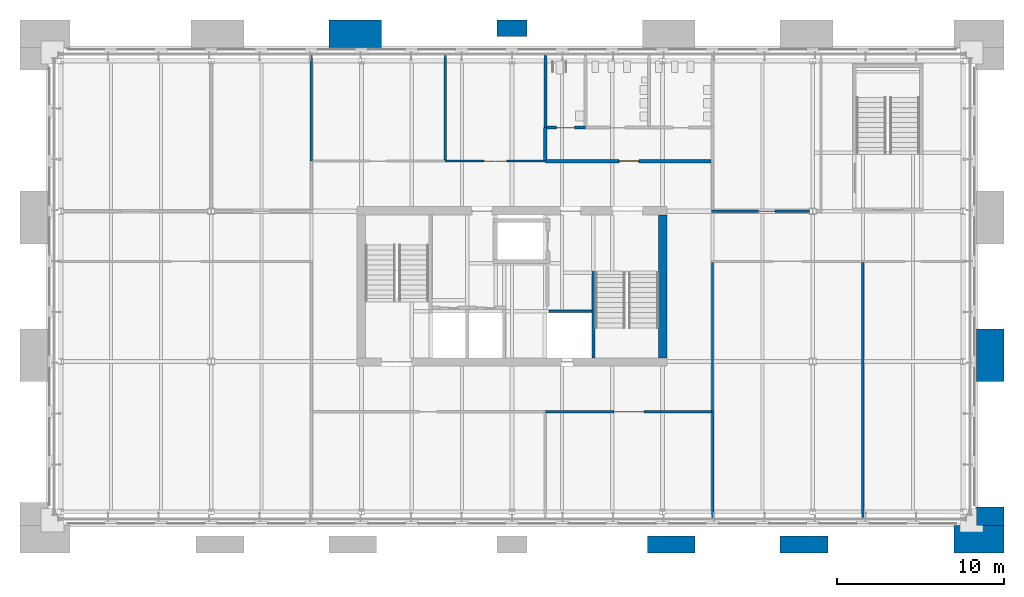
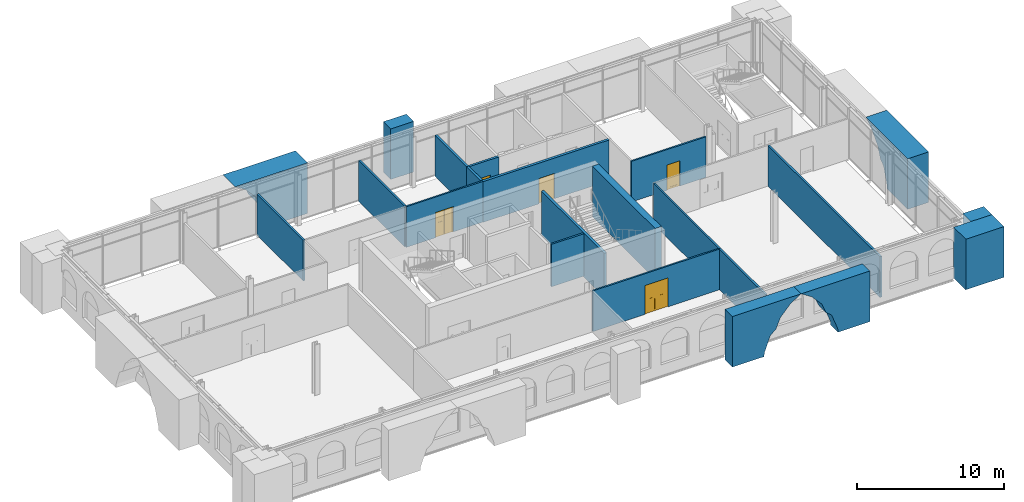
# One storey, part 13 of 22: 22 walls, 5 doors, 5 openings.
"""IFC4 building model written with IfcOpenShell, lengths in metres."""

from ifc_helpers import new_model, si_unit, direction, frame, frame_2d, origin, place, context, subcontext, project, spatial, polyline, rectangle, outline, extrude, material, layer, layer_set, type_object, element, fill, save


model = new_model("IFC4")

# Units and contexts
model_context = context("Model", 3, precision=1e-05, world=origin(), true_north=direction((0.0, 1.0)))
body_context = subcontext(model_context, "Body", "Model", "MODEL_VIEW")
ifc_project = project(units=[si_unit("LENGTHUNIT", "METRE"), si_unit("AREAUNIT", "SQUARE_METRE"), si_unit("VOLUMEUNIT", "CUBIC_METRE"), si_unit("PLANEANGLEUNIT", "RADIAN"), si_unit("MASSUNIT", "GRAM", prefix="KILO")], contexts=[model_context])

# Site, building, storey
site_placement = place(None, origin())
site = spatial("IfcSite", under=ifc_project, at=site_placement, CompositionType="ELEMENT")
building_placement = place(site_placement, origin())
building = spatial("IfcBuilding", under=site, at=building_placement, Name="Baradari Gate Terminus", CompositionType="ELEMENT")
storey_placement = place(building_placement, frame((0.0, 0.0, 28.5)))
storey = spatial("IfcBuildingStorey", under=building, at=storey_placement, Name="L06", CompositionType="ELEMENT", Elevation=28.5)

# Wall, opening, door
ifc_material_1 = material(Name="Gypsum board")
ifc_layer_1 = layer(ifc_material_1, 0.125)
ifc_layer_set_1 = layer_set([ifc_layer_1], Name="Gypsum board")
wall_type_1 = type_object("IfcWallType", Name="Corridor partition PT-5 125 EI 30", PredefinedType="PARTITIONING", material=ifc_layer_set_1)
wall_1_placement = place(storey_placement, frame((32.0, 138.0, 0.0), z_axis=(0.0, 0.0, 1.0), x_axis=(1.0, 0.0, 0.0)))
wall_1 = element("IfcWall", 1, at=wall_1_placement, inside=storey, type_object=wall_type_1, Name="PT-5 partition Corridor / Prayer Room", PredefinedType="PARTITIONING", context=body_context, shape_type="SweptSolid", body=[
    extrude(rectangle(XDim=6.0, YDim=0.125, at=frame_2d((3.0, 0.0))), origin(), (0.0, 0.0, 1.0), 3.382080078125),
])
opening_1_placement = place(wall_1_placement, frame((2.300048828125, 0.0, 0.0)))
opening_1 = element("IfcOpeningElement", 2, at=opening_1_placement, cuts=wall_1, Name="Opening D06-021", PredefinedType="OPENING", context=body_context, shape_type="SweptSolid", body=[
    extrude(rectangle(XDim=1.39990234375, YDim=2.10009765625, at=frame_2d((0.699951171875, 1.050048828125))), frame((0.0, 0.072509765625, 0.0), z_axis=(0.0, -1.0, 0.0), x_axis=(1.0, 0.0, 0.0)), (0.0, 0.0, 1.0), 0.14501953125),
])
ifc_material_2 = material(Name="Steel S275", Category="steel")
door_type_1 = type_object("IfcDoorType", Name="Fire door FI-1400-FD30S 1400x2100 FD30S", OperationType="DOUBLE_DOOR_SINGLE_SWING", PredefinedType="DOOR", material=ifc_material_2)
door_1_placement = place(opening_1_placement, origin())
door_1 = element("IfcDoor", 3, at=door_1_placement, inside=storey, type_object=door_type_1, Name="Door Prayer Room", OperationType="DOUBLE_DOOR_SINGLE_SWING", OverallHeight=2.1, OverallWidth=1.4, PredefinedType="DOOR", context=body_context, shape_type="SweptSolid", body=[
    extrude(outline(polyline([(0.0, 0.0), (0.070068359375, 0.0), (0.070068359375, 2.030029296875), (1.329833984375, 2.030029296875), (1.329833984375, 0.0), (1.39990234375, 0.0), (1.39990234375, 2.10009765625), (0.0, 2.10009765625), (0.0, 0.0)])), frame((0.0, 0.02490234375, 0.0), z_axis=(0.0, -1.0, 0.0), x_axis=(1.0, 0.0, 0.0)), (0.0, 0.0, 1.0), 0.050048828125),
    extrude(outline(polyline([(0.073974609375, 0.010009765625), (0.69677734375, 0.010009765625), (0.69677734375, 2.026123046875), (0.073974609375, 2.026123046875), (0.073974609375, 0.010009765625)]), holes=[polyline([(0.194091796875, 0.159912109375), (0.576904296875, 0.159912109375), (0.576904296875, 1.010009765625), (0.194091796875, 1.010009765625), (0.194091796875, 0.159912109375)]), polyline([(0.2353515625, 1.159912109375), (0.535400390625, 1.159912109375), (0.535400390625, 1.760009765625), (0.2353515625, 1.760009765625), (0.2353515625, 1.159912109375)])]), frame((0.0, 0.017333984375, 0.0), z_axis=(0.0, -1.0, 0.0), x_axis=(1.0, 0.0, 0.0)), (0.0, 0.0, 1.0), 0.034912109375),
    extrude(rectangle(XDim=0.3828125, YDim=0.85009765625, at=frame_2d((0.385498046875, 0.5849609375))), frame((0.0, 0.008544921875, 0.0), z_axis=(0.0, -1.0, 0.0), x_axis=(1.0, 0.0, 0.0)), (0.0, 0.0, 1.0), 0.017333984375),
    extrude(rectangle(XDim=0.300048828125, YDim=0.60009765625, at=frame_2d((0.38525390625, 1.4599609375))), frame((0.0, 0.005859375, 0.0), z_axis=(0.0, -1.0, 0.0), x_axis=(1.0, 0.0, 0.0)), (0.0, 0.0, 1.0), 0.011962890625),
    extrude(outline(polyline([(0.703125, 0.010009765625), (1.325927734375, 0.010009765625), (1.325927734375, 2.026123046875), (0.703125, 2.026123046875), (0.703125, 0.010009765625)]), holes=[polyline([(0.822998046875, 0.159912109375), (1.205810546875, 0.159912109375), (1.205810546875, 1.010009765625), (0.822998046875, 1.010009765625), (0.822998046875, 0.159912109375)]), polyline([(0.864501953125, 1.159912109375), (1.16455078125, 1.159912109375), (1.16455078125, 1.760009765625), (0.864501953125, 1.760009765625), (0.864501953125, 1.159912109375)])]), frame((0.0, 0.017333984375, 0.0), z_axis=(0.0, -1.0, 0.0), x_axis=(1.0, 0.0, 0.0)), (0.0, 0.0, 1.0), 0.034912109375),
    extrude(rectangle(XDim=0.3828125, YDim=0.85009765625, at=frame_2d((1.014404296875, 0.5849609375))), frame((0.0, 0.008544921875, 0.0), z_axis=(0.0, -1.0, 0.0), x_axis=(1.0, 0.0, 0.0)), (0.0, 0.0, 1.0), 0.017333984375),
    extrude(rectangle(XDim=0.300048828125, YDim=0.60009765625, at=frame_2d((1.0146484375, 1.4599609375))), frame((0.0, 0.005859375, 0.0), z_axis=(0.0, -1.0, 0.0), x_axis=(1.0, 0.0, 0.0)), (0.0, 0.0, 1.0), 0.011962890625),
])
fill(opening_1, door_1)

wall_2_placement = place(storey_placement, frame((47.925048828125, 123.0, 0.0), z_axis=(0.0, 0.0, 1.0), x_axis=(-1.0, 0.0, 0.0)))
wall_2 = element("IfcWall", 4, at=wall_2_placement, inside=storey, type_object=wall_type_1, Name="PT-5 partition Corridor / Training Classroom 2", PredefinedType="PARTITIONING", context=body_context, shape_type="SweptSolid", body=[
    extrude(rectangle(XDim=9.925048828125, YDim=0.125, at=frame_2d((4.96240234375, 0.0))), origin(), (0.0, 0.0, 1.0), 3.382080078125),
])
opening_2_placement = place(wall_2_placement, frame((4.02490234375, 0.0, 0.0)))
opening_2 = element("IfcOpeningElement", 5, at=opening_2_placement, cuts=wall_2, Name="Opening D06-023", PredefinedType="OPENING", context=body_context, shape_type="SweptSolid", body=[
    extrude(rectangle(XDim=1.800048828125, YDim=2.39990234375, at=frame_2d((0.89990234375, 1.199951171875))), frame((0.0, 0.072509765625, 0.0), z_axis=(0.0, -1.0, 0.0), x_axis=(1.0, 0.0, 0.0)), (0.0, 0.0, 1.0), 0.14501953125),
])
ifc_material_3 = material(Name="Steel S275", Category="steel")
door_type_2 = type_object("IfcDoorType", Name="Fire door FI-1800x2400-FD30S 1800x2400 FD30S", OperationType="DOUBLE_DOOR_SINGLE_SWING", PredefinedType="DOOR", material=ifc_material_3)
door_2_placement = place(opening_2_placement, origin())
door_2 = element("IfcDoor", 6, at=door_2_placement, inside=storey, type_object=door_type_2, Name="Door Training Classroom 2", OperationType="DOUBLE_DOOR_SINGLE_SWING", OverallHeight=2.4, OverallWidth=1.8, PredefinedType="DOOR", context=body_context, shape_type="SweptSolid", body=[
    extrude(outline(polyline([(0.0, 0.0), (0.070068359375, 0.0), (0.070068359375, 2.329833984375), (1.72998046875, 2.329833984375), (1.72998046875, 0.0), (1.800048828125, 0.0), (1.800048828125, 2.39990234375), (0.0, 2.39990234375), (0.0, 0.0)])), frame((0.0, 0.02490234375, 0.0), z_axis=(0.0, -1.0, 0.0), x_axis=(1.0, 0.0, 0.0)), (0.0, 0.0, 1.0), 0.050048828125),
    extrude(outline(polyline([(0.073974609375, 0.010009765625), (0.89697265625, 0.010009765625), (0.89697265625, 2.325927734375), (0.073974609375, 2.325927734375), (0.073974609375, 0.010009765625)]), holes=[polyline([(0.194091796875, 0.159912109375), (0.77685546875, 0.159912109375), (0.77685546875, 1.010009765625), (0.194091796875, 1.010009765625), (0.194091796875, 0.159912109375)]), polyline([(0.33544921875, 1.159912109375), (0.635498046875, 1.159912109375), (0.635498046875, 1.760009765625), (0.33544921875, 1.760009765625), (0.33544921875, 1.159912109375)])]), frame((0.0, 0.017333984375, 0.0), z_axis=(0.0, -1.0, 0.0), x_axis=(1.0, 0.0, 0.0)), (0.0, 0.0, 1.0), 0.034912109375),
    extrude(rectangle(XDim=0.582763671875, YDim=0.85009765625, at=frame_2d((0.4853515625, 0.5849609375))), frame((0.0, 0.008544921875, 0.0), z_axis=(0.0, -1.0, 0.0), x_axis=(1.0, 0.0, 0.0)), (0.0, 0.0, 1.0), 0.017333984375),
    extrude(rectangle(XDim=0.300048828125, YDim=0.60009765625, at=frame_2d((0.4853515625, 1.4599609375))), frame((0.0, 0.005859375, 0.0), z_axis=(0.0, -1.0, 0.0), x_axis=(1.0, 0.0, 0.0)), (0.0, 0.0, 1.0), 0.011962890625),
    extrude(outline(polyline([(0.903076171875, 0.010009765625), (1.72607421875, 0.010009765625), (1.72607421875, 2.325927734375), (0.903076171875, 2.325927734375), (0.903076171875, 0.010009765625)]), holes=[polyline([(1.023193359375, 0.159912109375), (1.60595703125, 0.159912109375), (1.60595703125, 1.010009765625), (1.023193359375, 1.010009765625), (1.023193359375, 0.159912109375)]), polyline([(1.16455078125, 1.159912109375), (1.464599609375, 1.159912109375), (1.464599609375, 1.760009765625), (1.16455078125, 1.760009765625), (1.16455078125, 1.159912109375)])]), frame((0.0, 0.017333984375, 0.0), z_axis=(0.0, -1.0, 0.0), x_axis=(1.0, 0.0, 0.0)), (0.0, 0.0, 1.0), 0.034912109375),
    extrude(rectangle(XDim=0.582763671875, YDim=0.85009765625, at=frame_2d((1.314453125, 0.5849609375))), frame((0.0, 0.008544921875, 0.0), z_axis=(0.0, -1.0, 0.0), x_axis=(1.0, 0.0, 0.0)), (0.0, 0.0, 1.0), 0.017333984375),
    extrude(rectangle(XDim=0.300048828125, YDim=0.60009765625, at=frame_2d((1.314453125, 1.4599609375))), frame((0.0, 0.005859375, 0.0), z_axis=(0.0, -1.0, 0.0), x_axis=(1.0, 0.0, 0.0)), (0.0, 0.0, 1.0), 0.011962890625),
])
fill(opening_2, door_2)

# Wall
wall_3_placement = place(storey_placement, frame((48.0, 131.9375, 0.0), z_axis=(0.0, 0.0, 1.0), x_axis=(0.0, -1.0, 0.0)))
element("IfcWall", 7, at=wall_3_placement, inside=storey, type_object=wall_type_1, Name="PT-5 partition Corridor / Staff Canteen", PredefinedType="PARTITIONING", context=body_context, shape_type="SweptSolid", body=[
    extrude(rectangle(XDim=8.9375, YDim=0.125, at=frame_2d((4.46875, 0.0))), origin(), (0.0, 0.0, 1.0), 3.382080078125),
])

# Wall, opening, door
wall_4_placement = place(storey_placement, frame((47.9375, 135.0, 0.0), z_axis=(0.0, 0.0, 1.0), x_axis=(1.0, 0.0, 0.0)))
wall_4 = element("IfcWall", 8, at=wall_4_placement, inside=storey, type_object=wall_type_1, Name="PT-5 partition Corridor / Welfare Store", PredefinedType="PARTITIONING", context=body_context, shape_type="SweptSolid", body=[
    extrude(rectangle(XDim=5.864990234375, YDim=0.125, at=frame_2d((2.9326171875, 0.0))), origin(), (0.0, 0.0, 1.0), 3.382080078125),
])
opening_3_placement = place(wall_4_placement, frame((2.8125, 0.0, 0.0)))
opening_3 = element("IfcOpeningElement", 9, at=opening_3_placement, cuts=wall_4, Name="Opening D06-024", PredefinedType="OPENING", context=body_context, shape_type="SweptSolid", body=[
    extrude(rectangle(XDim=1.0, YDim=2.10009765625, at=frame_2d((0.5, 1.050048828125))), frame((0.0, 0.072509765625, 0.0), z_axis=(0.0, -1.0, 0.0), x_axis=(1.0, 0.0, 0.0)), (0.0, 0.0, 1.0), 0.14501953125),
])
ifc_material_4 = material(Name="Steel S275", Category="steel")
door_type_3 = type_object("IfcDoorType", Name="Fire door FI-1000-FD30S 1000x2100 FD30S", OperationType="SINGLE_SWING_LEFT", PredefinedType="DOOR", material=ifc_material_4)
door_3_placement = place(opening_3_placement, origin())
door_3 = element("IfcDoor", 10, at=door_3_placement, inside=storey, type_object=door_type_3, Name="Door Welfare Store", OperationType="SINGLE_SWING_LEFT", OverallHeight=2.1, OverallWidth=1.0, PredefinedType="DOOR", context=body_context, shape_type="SweptSolid", body=[
    extrude(outline(polyline([(0.0, 0.0), (0.070068359375, 0.0), (0.070068359375, 2.030029296875), (0.929931640625, 2.030029296875), (0.929931640625, 0.0), (1.0, 0.0), (1.0, 2.10009765625), (0.0, 2.10009765625), (0.0, 0.0)])), frame((0.0, 0.02490234375, 0.0), z_axis=(0.0, -1.0, 0.0), x_axis=(1.0, 0.0, 0.0)), (0.0, 0.0, 1.0), 0.050048828125),
    extrude(outline(polyline([(0.073974609375, 0.010009765625), (0.926025390625, 0.010009765625), (0.926025390625, 2.026123046875), (0.073974609375, 2.026123046875), (0.073974609375, 0.010009765625)]), holes=[polyline([(0.194091796875, 0.159912109375), (0.805908203125, 0.159912109375), (0.805908203125, 1.010009765625), (0.194091796875, 1.010009765625), (0.194091796875, 0.159912109375)]), polyline([(0.35009765625, 1.159912109375), (0.64990234375, 1.159912109375), (0.64990234375, 1.760009765625), (0.35009765625, 1.760009765625), (0.35009765625, 1.159912109375)])]), frame((0.0, 0.017333984375, 0.0), z_axis=(0.0, -1.0, 0.0), x_axis=(1.0, 0.0, 0.0)), (0.0, 0.0, 1.0), 0.034912109375),
    extrude(rectangle(XDim=0.61181640625, YDim=0.85009765625, at=frame_2d((0.5, 0.5849609375))), frame((0.0, 0.008544921875, 0.0), z_axis=(0.0, -1.0, 0.0), x_axis=(1.0, 0.0, 0.0)), (0.0, 0.0, 1.0), 0.017333984375),
    extrude(rectangle(XDim=0.2998046875, YDim=0.60009765625, at=frame_2d((0.5, 1.4599609375))), frame((0.0, 0.005859375, 0.0), z_axis=(0.0, -1.0, 0.0), x_axis=(1.0, 0.0, 0.0)), (0.0, 0.0, 1.0), 0.011962890625),
])
fill(opening_3, door_3)

ifc_material_5 = material(Name="Blockwork wall, plastered, fire rated", Category="masonry")
ifc_layer_2 = layer(ifc_material_5, 0.199951171875)
ifc_layer_set_2 = layer_set([ifc_layer_2], Name="Blockwork wall, plastered, fire rated")
wall_type_2 = type_object("IfcWallType", Name="Lobby partition PT-4 200 EI 60", PredefinedType="PARTITIONING", material=ifc_layer_set_2)
wall_5_placement = place(storey_placement, frame((38.0, 138.0, 0.0), z_axis=(0.0, 0.0, 1.0), x_axis=(1.0, 0.0, 0.0)))
wall_5 = element("IfcWall", 11, at=wall_5_placement, inside=storey, type_object=wall_type_2, Name="PT-4 partition Corridor / WC Lobby", PredefinedType="PARTITIONING", context=body_context, shape_type="SweptSolid", body=[
    extrude(rectangle(XDim=9.89990234375, YDim=0.199951171875, at=frame_2d((4.949951171875, 0.0))), origin(), (0.0, 0.0, 1.0), 3.382080078125),
])
opening_4_placement = place(wall_5_placement, frame((4.39990234375, 0.0, 0.0)))
opening_4 = element("IfcOpeningElement", 12, at=opening_4_placement, cuts=wall_5, Name="Opening D06-011", PredefinedType="OPENING", context=body_context, shape_type="SweptSolid", body=[
    extrude(rectangle(XDim=1.199951171875, YDim=2.10009765625, at=frame_2d((0.60009765625, 1.050048828125))), frame((0.0, 0.10986328125, 0.0), z_axis=(0.0, -1.0, 0.0), x_axis=(1.0, 0.0, 0.0)), (0.0, 0.0, 1.0), 0.219970703125),
])
ifc_material_6 = material(Name="Steel S275", Category="steel")
door_type_4 = type_object("IfcDoorType", Name="Fire door FI-1200-FD60S 1200x2100 FD60S", OperationType="DOUBLE_DOOR_SINGLE_SWING", PredefinedType="DOOR", material=ifc_material_6)
door_4_placement = place(opening_4_placement, origin())
door_4 = element("IfcDoor", 13, at=door_4_placement, inside=storey, type_object=door_type_4, Name="Door WC Lobby", OperationType="DOUBLE_DOOR_SINGLE_SWING", OverallHeight=2.1, OverallWidth=1.2, PredefinedType="DOOR", context=body_context, shape_type="SweptSolid", body=[
    extrude(outline(polyline([(0.0, 0.0), (0.070068359375, 0.0), (0.070068359375, 2.030029296875), (1.1298828125, 2.030029296875), (1.1298828125, 0.0), (1.199951171875, 0.0), (1.199951171875, 2.10009765625), (0.0, 2.10009765625), (0.0, 0.0)])), frame((0.0, 0.02490234375, 0.0), z_axis=(0.0, -1.0, 0.0), x_axis=(1.0, 0.0, 0.0)), (0.0, 0.0, 1.0), 0.050048828125),
    extrude(outline(polyline([(0.073974609375, 0.010009765625), (0.596923828125, 0.010009765625), (0.596923828125, 2.026123046875), (0.073974609375, 2.026123046875), (0.073974609375, 0.010009765625)]), holes=[polyline([(0.178466796875, 0.372802734375), (0.492431640625, 0.372802734375), (0.492431640625, 1.7841796875), (0.178466796875, 1.7841796875), (0.178466796875, 0.372802734375)])]), frame((0.0, 0.017333984375, 0.0), z_axis=(0.0, -1.0, 0.0), x_axis=(1.0, 0.0, 0.0)), (0.0, 0.0, 1.0), 0.034912109375),
    extrude(rectangle(XDim=0.31396484375, YDim=1.411376953125, at=frame_2d((0.33544921875, 1.07861328125))), frame((0.0, 0.008544921875, 0.0), z_axis=(0.0, -1.0, 0.0), x_axis=(1.0, 0.0, 0.0)), (0.0, 0.0, 1.0), 0.017333984375),
    extrude(outline(polyline([(0.60302734375, 0.010009765625), (1.1259765625, 0.010009765625), (1.1259765625, 2.026123046875), (0.60302734375, 2.026123046875), (0.60302734375, 0.010009765625)]), holes=[polyline([(0.70751953125, 0.372802734375), (1.021484375, 0.372802734375), (1.021484375, 1.7841796875), (0.70751953125, 1.7841796875), (0.70751953125, 0.372802734375)])]), frame((0.0, 0.017333984375, 0.0), z_axis=(0.0, -1.0, 0.0), x_axis=(1.0, 0.0, 0.0)), (0.0, 0.0, 1.0), 0.034912109375),
    extrude(rectangle(XDim=0.31396484375, YDim=1.411376953125, at=frame_2d((0.864501953125, 1.07861328125))), frame((0.0, 0.008544921875, 0.0), z_axis=(0.0, -1.0, 0.0), x_axis=(1.0, 0.0, 0.0)), (0.0, 0.0, 1.0), 0.017333984375),
])
fill(opening_4, door_4)

# Walls
wall_6_placement = place(storey_placement, frame((38.0, 138.10009765625, 0.0), z_axis=(0.0, 0.0, 1.0), x_axis=(0.0, 1.0, 0.0)))
element("IfcWall", 14, at=wall_6_placement, inside=storey, type_object=wall_type_2, Name="PT-4 partition WC Lobby / Prayer Room", PredefinedType="PARTITIONING", context=body_context, shape_type="SweptSolid", body=[
    extrude(rectangle(XDim=1.89990234375, YDim=0.199951171875, at=frame_2d((0.949951171875, 0.0))), origin(), (0.0, 0.0, 1.0), 3.382080078125),
])
ifc_material_7 = material(Name="Concrete C40/50", Category="concrete")
ifc_layer_3 = layer(ifc_material_7, 0.5)
ifc_layer_set_3 = layer_set([ifc_layer_3], Name="Concrete C40/50")
wall_type_3 = type_object("IfcWallType", Name="Operations block core wall CWL02 500", PredefinedType="SOLIDWALL", material=ifc_layer_set_3)
wall_7_placement = place(storey_placement, frame((45.02490234375, 126.22509765625, 0.0), z_axis=(0.0, 0.0, 1.0), x_axis=(0.0, 1.0, 0.0)))
element("IfcWall", 15, at=wall_7_placement, inside=storey, type_object=wall_type_3, Name="Operations block core wall CT E L06", PredefinedType="SOLIDWALL", context=body_context, shape_type="SweptSolid", body=[
    extrude(rectangle(XDim=8.5498046875, YDim=0.5, at=frame_2d((4.27490234375, 0.0))), origin(), (0.0, 0.0, 1.0), 4.199951171875),
])
ifc_material_8 = material(Name="Blockwork wall, plastered", Category="masonry")
ifc_layer_4 = layer(ifc_material_8, 0.14990234375)
ifc_layer_set_4 = layer_set([ifc_layer_4], Name="Blockwork wall, plastered")
wall_type_4 = type_object("IfcWallType", Name="Partition PT-2 150 EI 60", PredefinedType="PARTITIONING", material=ifc_layer_set_4)
for number, where, z_axis, x_axis, name in (
    (16, (24.0, 144.31494140625, 0.0), (0.0, 0.0, 1.0), (0.0, -1.0, 0.0), "PT-2 partition Instructor Office / Staff Clinic"),
    (17, (48.0, 116.68505859375, 0.0), (0.0, 0.0, 1.0), (0.0, 1.0, 0.0), "PT-2 partition Staff Canteen / Training Classroom 2"),
):
    element("IfcWall", number, at=place(storey_placement, frame(where, z_axis=z_axis, x_axis=x_axis)), inside=storey, type_object=wall_type_4, Name=name, PredefinedType="PARTITIONING", context=body_context, shape_type="SweptSolid", body=[
        extrude(rectangle(XDim=6.31494140625, YDim=0.14990234375, at=frame_2d((3.157470703125, 0.0))), origin(), (0.0, 0.0, 1.0), 3.382080078125),
    ])
wall_8_placement = place(storey_placement, frame((57.0, 131.9375, 0.0), z_axis=(0.0, 0.0, 1.0), x_axis=(0.0, -1.0, 0.0)))
element("IfcWall", 18, at=wall_8_placement, inside=storey, type_object=wall_type_4, Name="PT-2 partition Staff Canteen / Canteen Kitchen", PredefinedType="PARTITIONING", context=body_context, shape_type="SweptSolid", body=[
    extrude(rectangle(XDim=15.25244140625, YDim=0.14990234375, at=frame_2d((7.626220703125, 0.0))), origin(), (0.0, 0.0, 1.0), 3.382080078125),
])
wall_9_placement = place(storey_placement, frame((32.0, 144.31494140625, 0.0), z_axis=(0.0, 0.0, 1.0), x_axis=(0.0, -1.0, 0.0)))
element("IfcWall", 19, at=wall_9_placement, inside=storey, type_object=wall_type_4, Name="PT-2 partition Staff Clinic / Prayer Room", PredefinedType="PARTITIONING", context=body_context, shape_type="SweptSolid", body=[
    extrude(rectangle(XDim=6.25244140625, YDim=0.14990234375, at=frame_2d((3.126220703125, 0.0))), origin(), (0.0, 0.0, 1.0), 3.382080078125),
])
ifc_material_9 = material(Name="Blockwork wall, fire rated", Category="masonry")
ifc_layer_5 = layer(ifc_material_9, 0.14990234375)
ifc_layer_set_5 = layer_set([ifc_layer_5], Name="Blockwork wall, fire rated")
wall_type_5 = type_object("IfcWallType", Name="Riser wall RW-1 150 EI 120", PredefinedType="SOLIDWALL", material=ifc_layer_set_5)
wall_10_placement = place(storey_placement, frame((40.77294921875, 129.02490234375, 0.0), z_axis=(0.0, 0.0, 1.0), x_axis=(-1.0, 0.0, 0.0)))
element("IfcWall", 20, at=wall_10_placement, inside=storey, type_object=wall_type_5, Name="RW-1 partition Lift Lobby (Fire-fighting) / Riser", PredefinedType="SOLIDWALL", context=body_context, shape_type="SweptSolid", body=[
    extrude(rectangle(XDim=2.5478515625, YDim=0.14990234375, at=frame_2d((1.27392578125, 0.0))), origin(), (0.0, 0.0, 1.0), 3.52490234375),
])
ifc_material_10 = material(Name="Concrete C40/50 precast", Category="concrete")
ifc_layer_6 = layer(ifc_material_10, 1.55)
ifc_material_11 = material(Name="Sandstone cladding", Category="masonry")
ifc_layer_7 = layer(ifc_material_11, 0.1)
ifc_layer_set_6 = layer_set([ifc_layer_6, ifc_layer_7], Name="Concrete C40/50 precast")
wall_type_6 = type_object("IfcWallType", Name="Sandstone-faced precast frame pier WQ-4 1650", PredefinedType="SOLIDWALL", material=ifc_layer_set_6)
wall_11_placement = place(storey_placement, frame((22.5, 145.6201171875, 0.0), z_axis=(0.0, 0.0, 1.0), x_axis=(1.0, 0.0, 0.0)))
element("IfcWall", 21, at=wall_11_placement, inside=storey, type_object=wall_type_6, Name="Frame portal wall N face bay 1 2", PredefinedType="SOLIDWALL", context=body_context, shape_type="SweptSolid", body=[
    extrude(outline(polyline([(0.0, 4.199951171875), (0.840087890625, 3.659912109375), (1.6201171875, 2.7958984375), (1.97998046875, 1.931884765625), (2.39990234375, 1.60791015625), (2.8798828125, 0.31201171875), (2.90478515625, 0.0), (5.699951171875, 0.0), (5.699951171875, 4.199951171875), (0.0, 4.199951171875)])), frame((0.0, 0.824951171875, 0.0), z_axis=(0.0, -1.0, 0.0), x_axis=(1.0, 0.0, 0.0)), (0.0, 0.0, 1.0), 1.64990234375),
])
wall_12_placement = place(storey_placement, frame((64.6201171875, 124.800048828125, 0.0), z_axis=(0.0, 0.0, 1.0), x_axis=(0.0, 1.0, 0.0)))
element("IfcWall", 22, at=wall_12_placement, inside=storey, type_object=wall_type_6, Name="Frame portal wall E face bay 1 1", PredefinedType="SOLIDWALL", context=body_context, shape_type="SweptSolid", body=[
    extrude(outline(polyline([(2.795166015625, 0.0), (2.820068359375, 0.31201171875), (3.300048828125, 1.60791015625), (3.719970703125, 1.931884765625), (4.080078125, 2.7958984375), (4.860107421875, 3.659912109375), (5.699951171875, 4.199951171875), (0.0, 4.199951171875), (0.0, 0.0), (2.795166015625, 0.0)])), frame((0.0, 0.824951171875, 0.0), z_axis=(0.0, -1.0, 0.0), x_axis=(1.0, 0.0, 0.0)), (0.0, 0.0, 1.0), 1.64990234375),
])
wall_13_placement = place(storey_placement, frame((62.445068359375, 115.3798828125, 0.0), z_axis=(0.0, 0.0, 1.0), x_axis=(1.0, 0.0, 0.0)))
element("IfcWall", 23, at=wall_13_placement, inside=storey, type_object=wall_type_6, Name="Corner pilaster SE leg A L06", PredefinedType="SOLIDWALL", context=body_context, shape_type="SweptSolid", body=[
    extrude(rectangle(XDim=3.0, YDim=1.64990234375, at=frame_2d((1.5, 0.0))), origin(), (0.0, 0.0, 1.0), 4.199951171875),
])
wall_14_placement = place(storey_placement, frame((64.6201171875, 116.205078125, 0.0), z_axis=(0.0, 0.0, 1.0), x_axis=(0.0, 1.0, 0.0)))
element("IfcWall", 24, at=wall_14_placement, inside=storey, type_object=wall_type_6, Name="Corner pilaster SE leg B L06", PredefinedType="SOLIDWALL", context=body_context, shape_type="SweptSolid", body=[
    extrude(rectangle(XDim=1.099853515625, YDim=1.64990234375, at=frame_2d((0.5498046875, 0.0))), origin(), (0.0, 0.0, 1.0), 4.199951171875),
])
ifc_layer_8 = layer(ifc_material_10, 0.9)
ifc_layer_9 = layer(ifc_material_11, 0.1)
ifc_layer_set_7 = layer_set([ifc_layer_8, ifc_layer_9], Name="Concrete C40/50 precast")
wall_type_7 = type_object("IfcWallType", Name="Sandstone-faced precast grid pier WQ-6 1000", PredefinedType="SOLIDWALL", material=ifc_layer_set_7)
wall_15_placement = place(storey_placement, frame((35.10009765625, 145.945068359375, 0.0), z_axis=(0.0, 0.0, 1.0), x_axis=(1.0, 0.0, 0.0)))
element("IfcWall", 25, at=wall_15_placement, inside=storey, type_object=wall_type_7, Name="Grid pier N face grid 36 L06", PredefinedType="SOLIDWALL", context=body_context, shape_type="SweptSolid", body=[
    extrude(rectangle(XDim=1.7998046875, YDim=1.0, at=frame_2d((0.89990234375, 0.0))), origin(), (0.0, 0.0, 1.0), 4.199951171875),
])
wall_16_placement = place(storey_placement, frame((44.10009765625, 115.054931640625, 0.0), z_axis=(0.0, 0.0, 1.0), x_axis=(1.0, 0.0, 0.0)))
element("IfcWall", 26, at=wall_16_placement, inside=storey, type_object=wall_type_7, Name="Frame portal wall S face bay 2 1", PredefinedType="SOLIDWALL", context=body_context, shape_type="SweptSolid", body=[
    extrude(outline(polyline([(2.4951171875, 0.0), (2.52001953125, 0.31201171875), (3.0, 1.60791015625), (3.419921875, 1.931884765625), (3.780029296875, 2.7958984375), (4.56005859375, 3.659912109375), (5.39990234375, 4.199951171875), (0.0, 4.199951171875), (0.0, 0.0), (2.4951171875, 0.0)])), frame((0.0, 0.5, 0.0), z_axis=(0.0, -1.0, 0.0), x_axis=(1.0, 0.0, 0.0)), (0.0, 0.0, 1.0), 1.0),
])
wall_17_placement = place(storey_placement, frame((49.5, 115.054931640625, 0.0), z_axis=(0.0, 0.0, 1.0), x_axis=(1.0, 0.0, 0.0)))
element("IfcWall", 27, at=wall_17_placement, inside=storey, type_object=wall_type_7, Name="Frame portal wall S face bay 2 2", PredefinedType="SOLIDWALL", context=body_context, shape_type="SweptSolid", body=[
    extrude(outline(polyline([(0.0, 4.199951171875), (0.840087890625, 3.659912109375), (1.6201171875, 2.7958984375), (1.97998046875, 1.931884765625), (2.39990234375, 1.60791015625), (2.8798828125, 0.31201171875), (2.90478515625, 0.0), (5.39990234375, 0.0), (5.39990234375, 4.199951171875), (0.0, 4.199951171875)])), frame((0.0, 0.5, 0.0), z_axis=(0.0, -1.0, 0.0), x_axis=(1.0, 0.0, 0.0)), (0.0, 0.0, 1.0), 1.0),
])
ifc_material_12 = material(Name="Concrete C40/50", Category="concrete")
ifc_layer_10 = layer(ifc_material_12, 0.199951171875)
ifc_layer_set_8 = layer_set([ifc_layer_10], Name="Concrete C40/50")
wall_type_8 = type_object("IfcWallType", Name="Stair enclosure wall SE-1 200 EI 120", PredefinedType="SOLIDWALL", material=ifc_layer_set_8)
wall_18_placement = place(storey_placement, frame((40.875, 126.22705078125, -0.1298828125), z_axis=(0.0, 0.0, 1.0), x_axis=(0.0, 1.0, 0.0)))
element("IfcWall", 28, at=wall_18_placement, inside=storey, type_object=wall_type_8, Name="Stair enclosure wall SE-1 ST-T2 L06 W", PredefinedType="SOLIDWALL", context=body_context, shape_type="SweptSolid", body=[
    extrude(rectangle(XDim=8.5458984375, YDim=0.199951171875, at=frame_2d((4.27294921875, 0.0))), origin(), (0.0, 0.0, 1.0), 3.665771484375),
])

# Wall, opening, door
ifc_material_13 = material(Name="Blockwork wall, tiled both faces", Category="masonry")
ifc_layer_11 = layer(ifc_material_13, 0.175048828125)
ifc_layer_set_9 = layer_set([ifc_layer_11], Name="Blockwork wall, tiled both faces")
wall_type_9 = type_object("IfcWallType", Name="WC wet wall PT-6 175 EI 60", PredefinedType="PARTITIONING", material=ifc_layer_set_9)
wall_19_placement = place(storey_placement, frame((38.10009765625, 140.0, 0.0), z_axis=(0.0, 0.0, 1.0), x_axis=(1.0, 0.0, 0.0)))
wall_19 = element("IfcWall", 29, at=wall_19_placement, inside=storey, type_object=wall_type_9, Name="PT-6 partition WC Lobby / Accessible WC", PredefinedType="PARTITIONING", context=body_context, shape_type="SweptSolid", body=[
    extrude(rectangle(XDim=2.2998046875, YDim=0.175048828125, at=frame_2d((1.14990234375, 0.0))), origin(), (0.0, 0.0, 1.0), 3.382080078125),
])
opening_5_placement = place(wall_19_placement, frame((0.550048828125, 0.0, 0.0)))
opening_5 = element("IfcOpeningElement", 30, at=opening_5_placement, cuts=wall_19, Name="Opening D06-012", PredefinedType="OPENING", context=body_context, shape_type="SweptSolid", body=[
    extrude(rectangle(XDim=1.10009765625, YDim=2.10009765625, at=frame_2d((0.550048828125, 1.050048828125))), frame((0.0, 0.097412109375, 0.0), z_axis=(0.0, -1.0, 0.0), x_axis=(1.0, 0.0, 0.0)), (0.0, 0.0, 1.0), 0.195068359375),
])
ifc_material_14 = material(Name="Steel S275", Category="steel")
door_type_5 = type_object("IfcDoorType", Name="Fire door FI-1100-FD60S 1100x2100 FD60S", OperationType="SINGLE_SWING_LEFT", PredefinedType="DOOR", material=ifc_material_14)
door_5_placement = place(opening_5_placement, origin())
door_5 = element("IfcDoor", 31, at=door_5_placement, inside=storey, type_object=door_type_5, Name="Door Accessible WC", OperationType="SINGLE_SWING_LEFT", OverallHeight=2.1, OverallWidth=1.1, PredefinedType="DOOR", context=body_context, shape_type="SweptSolid", body=[
    extrude(outline(polyline([(0.0, 0.0), (0.070068359375, 0.0), (0.070068359375, 2.030029296875), (1.030029296875, 2.030029296875), (1.030029296875, 0.0), (1.10009765625, 0.0), (1.10009765625, 2.10009765625), (0.0, 2.10009765625), (0.0, 0.0)])), frame((0.0, 0.02490234375, 0.0), z_axis=(0.0, -1.0, 0.0), x_axis=(1.0, 0.0, 0.0)), (0.0, 0.0, 1.0), 0.050048828125),
    extrude(outline(polyline([(0.073974609375, 0.010009765625), (1.026123046875, 0.010009765625), (1.026123046875, 2.026123046875), (0.073974609375, 2.026123046875), (0.073974609375, 0.010009765625)]), holes=[polyline([(0.194091796875, 0.159912109375), (0.906005859375, 0.159912109375), (0.906005859375, 1.010009765625), (0.194091796875, 1.010009765625), (0.194091796875, 0.159912109375)]), polyline([(0.400146484375, 1.159912109375), (0.699951171875, 1.159912109375), (0.699951171875, 1.760009765625), (0.400146484375, 1.760009765625), (0.400146484375, 1.159912109375)])]), frame((0.0, 0.017333984375, 0.0), z_axis=(0.0, -1.0, 0.0), x_axis=(1.0, 0.0, 0.0)), (0.0, 0.0, 1.0), 0.034912109375),
    extrude(rectangle(XDim=0.7119140625, YDim=0.85009765625, at=frame_2d((0.550048828125, 0.5849609375))), frame((0.0, 0.008544921875, 0.0), z_axis=(0.0, -1.0, 0.0), x_axis=(1.0, 0.0, 0.0)), (0.0, 0.0, 1.0), 0.017333984375),
    extrude(rectangle(XDim=0.2998046875, YDim=0.60009765625, at=frame_2d((0.550048828125, 1.4599609375))), frame((0.0, 0.005859375, 0.0), z_axis=(0.0, -1.0, 0.0), x_axis=(1.0, 0.0, 0.0)), (0.0, 0.0, 1.0), 0.011962890625),
])
fill(opening_5, door_5)

# Wall
wall_20_placement = place(storey_placement, frame((38.0, 140.0, 0.0), z_axis=(0.0, 0.0, 1.0), x_axis=(0.0, 1.0, 0.0)))
element("IfcWall", 32, at=wall_20_placement, inside=storey, type_object=wall_type_9, Name="PT-6 partition Accessible WC / Prayer Room", PredefinedType="PARTITIONING", context=body_context, shape_type="SweptSolid", body=[
    extrude(rectangle(XDim=4.31494140625, YDim=0.175048828125, at=frame_2d((2.157470703125, 0.0))), origin(), (0.0, 0.0, 1.0), 3.382080078125),
])

save(model, "model.ifc")
